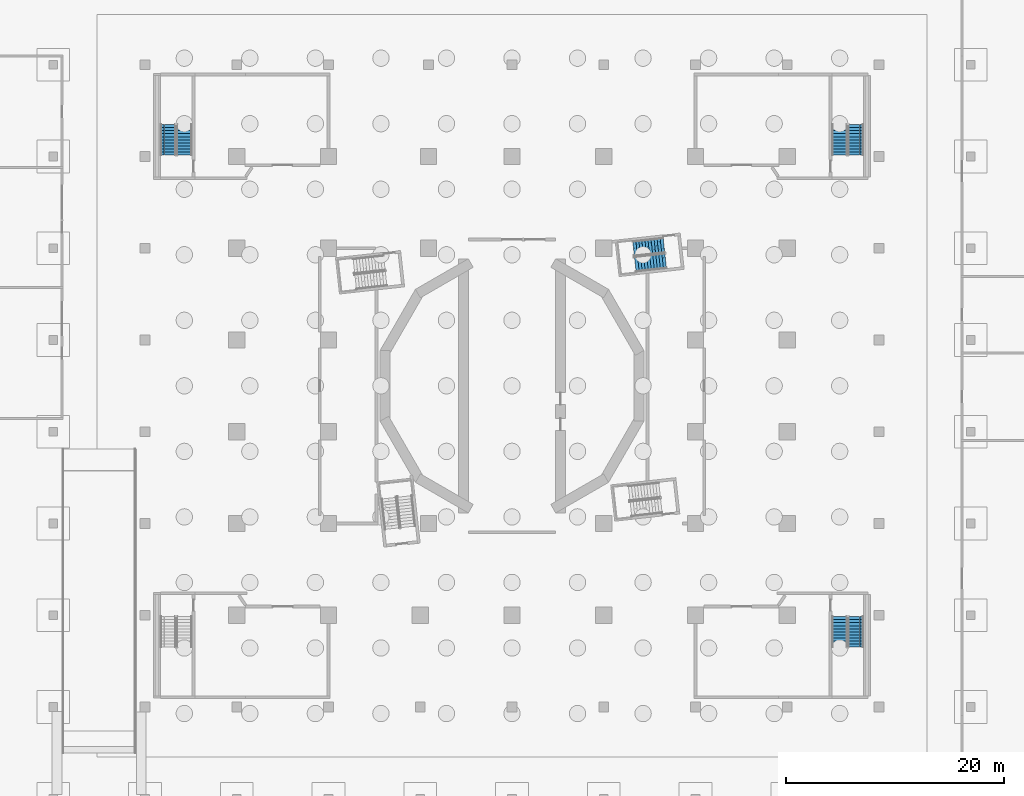
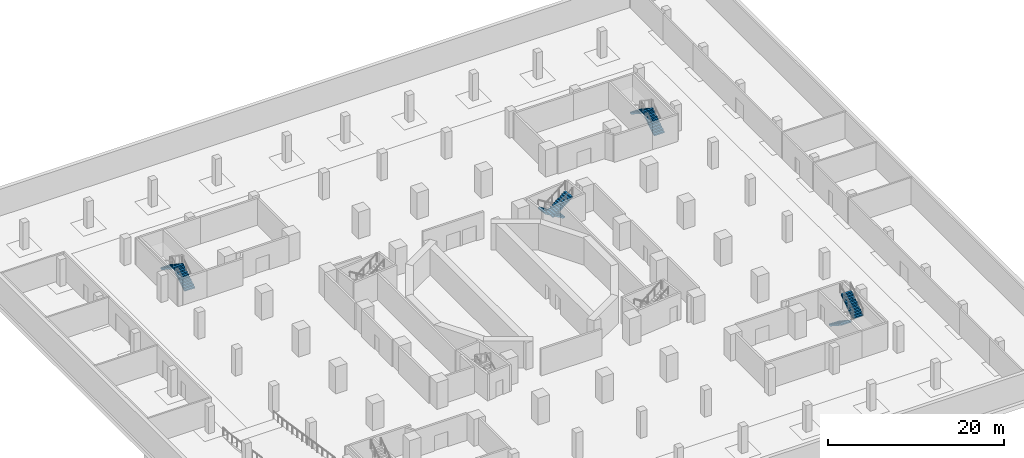
# One storey, part 14 of 20: 8 stair flights, 4 elements without a shape of their own.
"""IFC4 building model written with IfcOpenShell, lengths in metres."""

from ifc_helpers import new_model, si_unit, direction, frame, origin, place, context, subcontext, project, spatial, polyline, outline, extrude, material, type_object, element, aggregate, save


model = new_model("IFC4")

# Units and contexts
model_context = context("Model", 3, precision=1e-05, world=origin(), true_north=direction((0.0, 1.0)))
body_context = subcontext(model_context, "Body", "Model", "MODEL_VIEW")
ifc_project = project(units=[si_unit("LENGTHUNIT", "METRE"), si_unit("AREAUNIT", "SQUARE_METRE"), si_unit("VOLUMEUNIT", "CUBIC_METRE"), si_unit("PLANEANGLEUNIT", "RADIAN"), si_unit("MASSUNIT", "GRAM", prefix="KILO")], contexts=[model_context])

# Site, building, storey
site_placement = place(None, origin())
site = spatial("IfcSite", under=ifc_project, at=site_placement, CompositionType="ELEMENT")
building_placement = place(site_placement, origin())
building = spatial("IfcBuilding", under=site, at=building_placement, Name="Cantera Rosa Tower", CompositionType="ELEMENT")
storey_placement = place(building_placement, frame((0.0, 0.0, -17.0)))
storey = spatial("IfcBuildingStorey", under=building, at=storey_placement, Name="B4", CompositionType="ELEMENT", Elevation=-17.0)

# Stair, stair flights
ifc_material_1 = material(Name="Concrete C35/45", Category="concrete")
stair_type_1 = type_object("IfcStairType", Name="EXIT STAIR 1350 DOGLEG", PredefinedType="HALF_TURN_STAIR", material=ifc_material_1)
stair_1_placement = place(storey_placement, origin())
stair_1 = element("IfcStair", 1, at=stair_1_placement, inside=storey, type_object=stair_type_1, Name="B4 ST-11", PredefinedType="HALF_TURN_STAIR")
ifc_material_2 = material(Name="Concrete C35/45", Category="concrete")
stair_flight_type_1 = type_object("IfcStairFlightType", Name="STAIR FLIGHT 1350 R22x182", PredefinedType="STRAIGHT", material=ifc_material_2)
stair_flight_1_placement = place(storey_placement, frame((13.90869140625, 12.89990234375, 0.0), z_axis=(0.0, 0.0, 1.0), x_axis=(-0.993896947056, -0.110312549749, 0.0)))
stair_flight_1 = element("IfcStairFlight", 2, at=stair_flight_1_placement, type_object=stair_flight_type_1, Name="ST-11 flight 1", NumberOfRisers=11, NumberOfTreads=10, PredefinedType="STRAIGHT", RiserHeight=0.181818182, TreadLength=0.28, context=body_context, shape_type="SweptSolid", body=[
    extrude(outline(polyline([(0.0, 0.0), (0.0, 0.181884765625), (0.280029296875, 0.181884765625), (0.280029296875, 0.363525390625), (0.56005859375, 0.363525390625), (0.56005859375, 0.54541015625), (0.840087890625, 0.54541015625), (0.840087890625, 0.727294921875), (1.1201171875, 0.727294921875), (1.1201171875, 0.9091796875), (1.39990234375, 0.9091796875), (1.39990234375, 1.0908203125), (1.679931640625, 1.0908203125), (1.679931640625, 1.272705078125), (1.9599609375, 1.272705078125), (1.9599609375, 1.45458984375), (2.239990234375, 1.45458984375), (2.239990234375, 1.636474609375), (2.52001953125, 1.636474609375), (2.52001953125, 1.818115234375), (2.800048828125, 1.818115234375), (2.800048828125, 2.0), (2.800048828125, 1.639404296875), (0.275146484375, 0.0), (0.0, 0.0)])), frame((0.0, 0.675048828125, 0.0), z_axis=(0.0, -1.0, 0.0), x_axis=(1.0, 0.0, 0.0)), (0.0, 0.0, 1.0), 0.3359375),
    extrude(outline(polyline([(0.0, 0.0), (0.0, 0.181884765625), (0.280029296875, 0.181884765625), (0.280029296875, 0.363525390625), (0.56005859375, 0.363525390625), (0.56005859375, 0.54541015625), (0.840087890625, 0.54541015625), (0.840087890625, 0.727294921875), (1.1201171875, 0.727294921875), (1.1201171875, 0.9091796875), (1.39990234375, 0.9091796875), (1.39990234375, 1.0908203125), (1.679931640625, 1.0908203125), (1.679931640625, 1.272705078125), (1.9599609375, 1.272705078125), (1.9599609375, 1.45458984375), (2.239990234375, 1.45458984375), (2.239990234375, 1.636474609375), (2.52001953125, 1.636474609375), (2.52001953125, 1.818115234375), (2.800048828125, 1.818115234375), (2.800048828125, 2.0), (2.800048828125, 1.639404296875), (0.275146484375, 0.0), (0.0, 0.0)])), frame((0.0, 0.337158203125, 0.0), z_axis=(0.0, -1.0, 0.0), x_axis=(1.0, 0.0, 0.0)), (0.0, 0.0, 1.0), 0.3359375),
    extrude(outline(polyline([(0.0, 0.0), (0.0, 0.181884765625), (0.280029296875, 0.181884765625), (0.280029296875, 0.363525390625), (0.56005859375, 0.363525390625), (0.56005859375, 0.54541015625), (0.840087890625, 0.54541015625), (0.840087890625, 0.727294921875), (1.1201171875, 0.727294921875), (1.1201171875, 0.9091796875), (1.39990234375, 0.9091796875), (1.39990234375, 1.0908203125), (1.679931640625, 1.0908203125), (1.679931640625, 1.272705078125), (1.9599609375, 1.272705078125), (1.9599609375, 1.45458984375), (2.239990234375, 1.45458984375), (2.239990234375, 1.636474609375), (2.52001953125, 1.636474609375), (2.52001953125, 1.818115234375), (2.800048828125, 1.818115234375), (2.800048828125, 2.0), (2.800048828125, 1.639404296875), (0.275146484375, 0.0), (0.0, 0.0)])), frame((0.0, -0.000732421875, 0.0), z_axis=(0.0, -1.0, 0.0), x_axis=(1.0, 0.0, 0.0)), (0.0, 0.0, 1.0), 0.3359375),
    extrude(outline(polyline([(0.0, 0.0), (0.0, 0.181884765625), (0.280029296875, 0.181884765625), (0.280029296875, 0.363525390625), (0.56005859375, 0.363525390625), (0.56005859375, 0.54541015625), (0.840087890625, 0.54541015625), (0.840087890625, 0.727294921875), (1.1201171875, 0.727294921875), (1.1201171875, 0.9091796875), (1.39990234375, 0.9091796875), (1.39990234375, 1.0908203125), (1.679931640625, 1.0908203125), (1.679931640625, 1.272705078125), (1.9599609375, 1.272705078125), (1.9599609375, 1.45458984375), (2.239990234375, 1.45458984375), (2.239990234375, 1.636474609375), (2.52001953125, 1.636474609375), (2.52001953125, 1.818115234375), (2.800048828125, 1.818115234375), (2.800048828125, 2.0), (2.800048828125, 1.639404296875), (0.275146484375, 0.0), (0.0, 0.0)])), frame((0.0, -0.338623046875, 0.0), z_axis=(0.0, -1.0, 0.0), x_axis=(1.0, 0.0, 0.0)), (0.0, 0.0, 1.0), 0.3359375),
])
stair_flight_2_placement = place(storey_placement, frame((11.291259765625, 11.10009765625, 2.0), z_axis=(0.0, 0.0, 1.0), x_axis=(0.993896947056, 0.110312549749, 0.0)))
stair_flight_2 = element("IfcStairFlight", 3, at=stair_flight_2_placement, type_object=stair_flight_type_1, Name="ST-11 flight 2", NumberOfRisers=11, NumberOfTreads=10, PredefinedType="STRAIGHT", RiserHeight=0.181818182, TreadLength=0.28, context=body_context, shape_type="SweptSolid", body=[
    extrude(outline(polyline([(0.0, 0.0), (0.0, 0.181884765625), (0.280029296875, 0.181884765625), (0.280029296875, 0.363525390625), (0.56005859375, 0.363525390625), (0.56005859375, 0.54541015625), (0.840087890625, 0.54541015625), (0.840087890625, 0.727294921875), (1.1201171875, 0.727294921875), (1.1201171875, 0.9091796875), (1.39990234375, 0.9091796875), (1.39990234375, 1.0908203125), (1.679931640625, 1.0908203125), (1.679931640625, 1.272705078125), (1.9599609375, 1.272705078125), (1.9599609375, 1.45458984375), (2.239990234375, 1.45458984375), (2.239990234375, 1.636474609375), (2.52001953125, 1.636474609375), (2.52001953125, 1.818115234375), (2.800048828125, 1.818115234375), (2.800048828125, 2.0), (2.800048828125, 1.639404296875), (0.275146484375, 0.0), (0.0, 0.0)])), frame((0.0, 0.675048828125, 0.0), z_axis=(0.0, -1.0, 0.0), x_axis=(1.0, 0.0, 0.0)), (0.0, 0.0, 1.0), 0.3359375),
    extrude(outline(polyline([(0.0, 0.0), (0.0, 0.181884765625), (0.280029296875, 0.181884765625), (0.280029296875, 0.363525390625), (0.56005859375, 0.363525390625), (0.56005859375, 0.54541015625), (0.840087890625, 0.54541015625), (0.840087890625, 0.727294921875), (1.1201171875, 0.727294921875), (1.1201171875, 0.9091796875), (1.39990234375, 0.9091796875), (1.39990234375, 1.0908203125), (1.679931640625, 1.0908203125), (1.679931640625, 1.272705078125), (1.9599609375, 1.272705078125), (1.9599609375, 1.45458984375), (2.239990234375, 1.45458984375), (2.239990234375, 1.636474609375), (2.52001953125, 1.636474609375), (2.52001953125, 1.818115234375), (2.800048828125, 1.818115234375), (2.800048828125, 2.0), (2.800048828125, 1.639404296875), (0.275146484375, 0.0), (0.0, 0.0)])), frame((0.0, 0.337158203125, 0.0), z_axis=(0.0, -1.0, 0.0), x_axis=(1.0, 0.0, 0.0)), (0.0, 0.0, 1.0), 0.3359375),
    extrude(outline(polyline([(0.0, 0.0), (0.0, 0.181884765625), (0.280029296875, 0.181884765625), (0.280029296875, 0.363525390625), (0.56005859375, 0.363525390625), (0.56005859375, 0.54541015625), (0.840087890625, 0.54541015625), (0.840087890625, 0.727294921875), (1.1201171875, 0.727294921875), (1.1201171875, 0.9091796875), (1.39990234375, 0.9091796875), (1.39990234375, 1.0908203125), (1.679931640625, 1.0908203125), (1.679931640625, 1.272705078125), (1.9599609375, 1.272705078125), (1.9599609375, 1.45458984375), (2.239990234375, 1.45458984375), (2.239990234375, 1.636474609375), (2.52001953125, 1.636474609375), (2.52001953125, 1.818115234375), (2.800048828125, 1.818115234375), (2.800048828125, 2.0), (2.800048828125, 1.639404296875), (0.275146484375, 0.0), (0.0, 0.0)])), frame((0.0, -0.000732421875, 0.0), z_axis=(0.0, -1.0, 0.0), x_axis=(1.0, 0.0, 0.0)), (0.0, 0.0, 1.0), 0.3359375),
    extrude(outline(polyline([(0.0, 0.0), (0.0, 0.181884765625), (0.280029296875, 0.181884765625), (0.280029296875, 0.363525390625), (0.56005859375, 0.363525390625), (0.56005859375, 0.54541015625), (0.840087890625, 0.54541015625), (0.840087890625, 0.727294921875), (1.1201171875, 0.727294921875), (1.1201171875, 0.9091796875), (1.39990234375, 0.9091796875), (1.39990234375, 1.0908203125), (1.679931640625, 1.0908203125), (1.679931640625, 1.272705078125), (1.9599609375, 1.272705078125), (1.9599609375, 1.45458984375), (2.239990234375, 1.45458984375), (2.239990234375, 1.636474609375), (2.52001953125, 1.636474609375), (2.52001953125, 1.818115234375), (2.800048828125, 1.818115234375), (2.800048828125, 2.0), (2.800048828125, 1.639404296875), (0.275146484375, 0.0), (0.0, 0.0)])), frame((0.0, -0.338623046875, 0.0), z_axis=(0.0, -1.0, 0.0), x_axis=(1.0, 0.0, 0.0)), (0.0, 0.0, 1.0), 0.3359375),
])
aggregate(stair_1, [stair_flight_1, stair_flight_2])

ifc_material_3 = material(Name="Concrete C35/45", Category="concrete")
stair_type_2 = type_object("IfcStairType", Name="Stair half-turn 1350", PredefinedType="HALF_TURN_STAIR", material=ifc_material_3)
stair_2_placement = place(storey_placement, origin())
stair_2 = element("IfcStair", 4, at=stair_2_placement, inside=storey, type_object=stair_type_2, Name="B4 ST-NE", PredefinedType="HALF_TURN_STAIR")
ifc_material_4 = material(Name="Concrete C35/45", Category="concrete")
stair_flight_type_2 = type_object("IfcStairFlightType", Name="Stair flight 1350", PredefinedType="STRAIGHT", material=ifc_material_4)
stair_flight_3_placement = place(storey_placement, frame((31.5, 21.125, 0.0), z_axis=(0.0, 0.0, 1.0), x_axis=(0.0, 1.0, 0.0)))
stair_flight_3 = element("IfcStairFlight", 5, at=stair_flight_3_placement, type_object=stair_flight_type_2, Name="ST-NE flight 1", NumberOfRisers=11, NumberOfTreads=10, PredefinedType="STRAIGHT", RiserHeight=0.181818182, TreadLength=0.28, context=body_context, shape_type="SweptSolid", body=[
    extrude(outline(polyline([(0.0, 0.0), (0.0, 0.181884765625), (0.280029296875, 0.181884765625), (0.280029296875, 0.363525390625), (0.56005859375, 0.363525390625), (0.56005859375, 0.54541015625), (0.840087890625, 0.54541015625), (0.840087890625, 0.727294921875), (1.1201171875, 0.727294921875), (1.1201171875, 0.9091796875), (1.39990234375, 0.9091796875), (1.39990234375, 1.0908203125), (1.679931640625, 1.0908203125), (1.679931640625, 1.272705078125), (1.9599609375, 1.272705078125), (1.9599609375, 1.45458984375), (2.239990234375, 1.45458984375), (2.239990234375, 1.636474609375), (2.52001953125, 1.636474609375), (2.52001953125, 1.818115234375), (2.800048828125, 1.818115234375), (2.800048828125, 2.0), (2.800048828125, 1.639404296875), (0.275146484375, 0.0), (0.0, 0.0)])), frame((0.0, 0.675048828125, 0.0), z_axis=(0.0, -1.0, 0.0), x_axis=(1.0, 0.0, 0.0)), (0.0, 0.0, 1.0), 0.3359375),
    extrude(outline(polyline([(0.0, 0.0), (0.0, 0.181884765625), (0.280029296875, 0.181884765625), (0.280029296875, 0.363525390625), (0.56005859375, 0.363525390625), (0.56005859375, 0.54541015625), (0.840087890625, 0.54541015625), (0.840087890625, 0.727294921875), (1.1201171875, 0.727294921875), (1.1201171875, 0.9091796875), (1.39990234375, 0.9091796875), (1.39990234375, 1.0908203125), (1.679931640625, 1.0908203125), (1.679931640625, 1.272705078125), (1.9599609375, 1.272705078125), (1.9599609375, 1.45458984375), (2.239990234375, 1.45458984375), (2.239990234375, 1.636474609375), (2.52001953125, 1.636474609375), (2.52001953125, 1.818115234375), (2.800048828125, 1.818115234375), (2.800048828125, 2.0), (2.800048828125, 1.639404296875), (0.275146484375, 0.0), (0.0, 0.0)])), frame((0.0, 0.337158203125, 0.0), z_axis=(0.0, -1.0, 0.0), x_axis=(1.0, 0.0, 0.0)), (0.0, 0.0, 1.0), 0.3359375),
    extrude(outline(polyline([(0.0, 0.0), (0.0, 0.181884765625), (0.280029296875, 0.181884765625), (0.280029296875, 0.363525390625), (0.56005859375, 0.363525390625), (0.56005859375, 0.54541015625), (0.840087890625, 0.54541015625), (0.840087890625, 0.727294921875), (1.1201171875, 0.727294921875), (1.1201171875, 0.9091796875), (1.39990234375, 0.9091796875), (1.39990234375, 1.0908203125), (1.679931640625, 1.0908203125), (1.679931640625, 1.272705078125), (1.9599609375, 1.272705078125), (1.9599609375, 1.45458984375), (2.239990234375, 1.45458984375), (2.239990234375, 1.636474609375), (2.52001953125, 1.636474609375), (2.52001953125, 1.818115234375), (2.800048828125, 1.818115234375), (2.800048828125, 2.0), (2.800048828125, 1.639404296875), (0.275146484375, 0.0), (0.0, 0.0)])), frame((0.0, -0.000732421875, 0.0), z_axis=(0.0, -1.0, 0.0), x_axis=(1.0, 0.0, 0.0)), (0.0, 0.0, 1.0), 0.3359375),
    extrude(outline(polyline([(0.0, 0.0), (0.0, 0.181884765625), (0.280029296875, 0.181884765625), (0.280029296875, 0.363525390625), (0.56005859375, 0.363525390625), (0.56005859375, 0.54541015625), (0.840087890625, 0.54541015625), (0.840087890625, 0.727294921875), (1.1201171875, 0.727294921875), (1.1201171875, 0.9091796875), (1.39990234375, 0.9091796875), (1.39990234375, 1.0908203125), (1.679931640625, 1.0908203125), (1.679931640625, 1.272705078125), (1.9599609375, 1.272705078125), (1.9599609375, 1.45458984375), (2.239990234375, 1.45458984375), (2.239990234375, 1.636474609375), (2.52001953125, 1.636474609375), (2.52001953125, 1.818115234375), (2.800048828125, 1.818115234375), (2.800048828125, 2.0), (2.800048828125, 1.639404296875), (0.275146484375, 0.0), (0.0, 0.0)])), frame((0.0, -0.338623046875, 0.0), z_axis=(0.0, -1.0, 0.0), x_axis=(1.0, 0.0, 0.0)), (0.0, 0.0, 1.0), 0.3359375),
])
stair_flight_4_placement = place(storey_placement, frame((29.949951171875, 23.925048828125, 2.0), z_axis=(0.0, 0.0, 1.0), x_axis=(0.0, -1.0, 0.0)))
stair_flight_4 = element("IfcStairFlight", 6, at=stair_flight_4_placement, type_object=stair_flight_type_2, Name="ST-NE flight 2", NumberOfRisers=11, NumberOfTreads=10, PredefinedType="STRAIGHT", RiserHeight=0.181818182, TreadLength=0.28, context=body_context, shape_type="SweptSolid", body=[
    extrude(outline(polyline([(0.0, 0.0), (0.0, 0.181884765625), (0.280029296875, 0.181884765625), (0.280029296875, 0.363525390625), (0.56005859375, 0.363525390625), (0.56005859375, 0.54541015625), (0.840087890625, 0.54541015625), (0.840087890625, 0.727294921875), (1.1201171875, 0.727294921875), (1.1201171875, 0.9091796875), (1.39990234375, 0.9091796875), (1.39990234375, 1.0908203125), (1.679931640625, 1.0908203125), (1.679931640625, 1.272705078125), (1.9599609375, 1.272705078125), (1.9599609375, 1.45458984375), (2.239990234375, 1.45458984375), (2.239990234375, 1.636474609375), (2.52001953125, 1.636474609375), (2.52001953125, 1.818115234375), (2.800048828125, 1.818115234375), (2.800048828125, 2.0), (2.800048828125, 1.639404296875), (0.275146484375, 0.0), (0.0, 0.0)])), frame((0.0, 0.675048828125, 0.0), z_axis=(0.0, -1.0, 0.0), x_axis=(1.0, 0.0, 0.0)), (0.0, 0.0, 1.0), 0.3359375),
    extrude(outline(polyline([(0.0, 0.0), (0.0, 0.181884765625), (0.280029296875, 0.181884765625), (0.280029296875, 0.363525390625), (0.56005859375, 0.363525390625), (0.56005859375, 0.54541015625), (0.840087890625, 0.54541015625), (0.840087890625, 0.727294921875), (1.1201171875, 0.727294921875), (1.1201171875, 0.9091796875), (1.39990234375, 0.9091796875), (1.39990234375, 1.0908203125), (1.679931640625, 1.0908203125), (1.679931640625, 1.272705078125), (1.9599609375, 1.272705078125), (1.9599609375, 1.45458984375), (2.239990234375, 1.45458984375), (2.239990234375, 1.636474609375), (2.52001953125, 1.636474609375), (2.52001953125, 1.818115234375), (2.800048828125, 1.818115234375), (2.800048828125, 2.0), (2.800048828125, 1.639404296875), (0.275146484375, 0.0), (0.0, 0.0)])), frame((0.0, 0.337158203125, 0.0), z_axis=(0.0, -1.0, 0.0), x_axis=(1.0, 0.0, 0.0)), (0.0, 0.0, 1.0), 0.3359375),
    extrude(outline(polyline([(0.0, 0.0), (0.0, 0.181884765625), (0.280029296875, 0.181884765625), (0.280029296875, 0.363525390625), (0.56005859375, 0.363525390625), (0.56005859375, 0.54541015625), (0.840087890625, 0.54541015625), (0.840087890625, 0.727294921875), (1.1201171875, 0.727294921875), (1.1201171875, 0.9091796875), (1.39990234375, 0.9091796875), (1.39990234375, 1.0908203125), (1.679931640625, 1.0908203125), (1.679931640625, 1.272705078125), (1.9599609375, 1.272705078125), (1.9599609375, 1.45458984375), (2.239990234375, 1.45458984375), (2.239990234375, 1.636474609375), (2.52001953125, 1.636474609375), (2.52001953125, 1.818115234375), (2.800048828125, 1.818115234375), (2.800048828125, 2.0), (2.800048828125, 1.639404296875), (0.275146484375, 0.0), (0.0, 0.0)])), frame((0.0, -0.000732421875, 0.0), z_axis=(0.0, -1.0, 0.0), x_axis=(1.0, 0.0, 0.0)), (0.0, 0.0, 1.0), 0.3359375),
    extrude(outline(polyline([(0.0, 0.0), (0.0, 0.181884765625), (0.280029296875, 0.181884765625), (0.280029296875, 0.363525390625), (0.56005859375, 0.363525390625), (0.56005859375, 0.54541015625), (0.840087890625, 0.54541015625), (0.840087890625, 0.727294921875), (1.1201171875, 0.727294921875), (1.1201171875, 0.9091796875), (1.39990234375, 0.9091796875), (1.39990234375, 1.0908203125), (1.679931640625, 1.0908203125), (1.679931640625, 1.272705078125), (1.9599609375, 1.272705078125), (1.9599609375, 1.45458984375), (2.239990234375, 1.45458984375), (2.239990234375, 1.636474609375), (2.52001953125, 1.636474609375), (2.52001953125, 1.818115234375), (2.800048828125, 1.818115234375), (2.800048828125, 2.0), (2.800048828125, 1.639404296875), (0.275146484375, 0.0), (0.0, 0.0)])), frame((0.0, -0.338623046875, 0.0), z_axis=(0.0, -1.0, 0.0), x_axis=(1.0, 0.0, 0.0)), (0.0, 0.0, 1.0), 0.3359375),
])
aggregate(stair_2, [stair_flight_3, stair_flight_4])

stair_3_placement = place(storey_placement, origin())
stair_3 = element("IfcStair", 7, at=stair_3_placement, inside=storey, type_object=stair_type_2, Name="B4 ST-NW", PredefinedType="HALF_TURN_STAIR")
stair_flight_5_placement = place(storey_placement, frame((-29.949951171875, 21.125, 0.0), z_axis=(0.0, 0.0, 1.0), x_axis=(0.0, 1.0, 0.0)))
stair_flight_5 = element("IfcStairFlight", 8, at=stair_flight_5_placement, type_object=stair_flight_type_2, Name="ST-NW flight 1", NumberOfRisers=11, NumberOfTreads=10, PredefinedType="STRAIGHT", RiserHeight=0.181818182, TreadLength=0.28, context=body_context, shape_type="SweptSolid", body=[
    extrude(outline(polyline([(0.0, 0.0), (0.0, 0.181884765625), (0.280029296875, 0.181884765625), (0.280029296875, 0.363525390625), (0.56005859375, 0.363525390625), (0.56005859375, 0.54541015625), (0.840087890625, 0.54541015625), (0.840087890625, 0.727294921875), (1.1201171875, 0.727294921875), (1.1201171875, 0.9091796875), (1.39990234375, 0.9091796875), (1.39990234375, 1.0908203125), (1.679931640625, 1.0908203125), (1.679931640625, 1.272705078125), (1.9599609375, 1.272705078125), (1.9599609375, 1.45458984375), (2.239990234375, 1.45458984375), (2.239990234375, 1.636474609375), (2.52001953125, 1.636474609375), (2.52001953125, 1.818115234375), (2.800048828125, 1.818115234375), (2.800048828125, 2.0), (2.800048828125, 1.639404296875), (0.275146484375, 0.0), (0.0, 0.0)])), frame((0.0, 0.675048828125, 0.0), z_axis=(0.0, -1.0, 0.0), x_axis=(1.0, 0.0, 0.0)), (0.0, 0.0, 1.0), 0.3359375),
    extrude(outline(polyline([(0.0, 0.0), (0.0, 0.181884765625), (0.280029296875, 0.181884765625), (0.280029296875, 0.363525390625), (0.56005859375, 0.363525390625), (0.56005859375, 0.54541015625), (0.840087890625, 0.54541015625), (0.840087890625, 0.727294921875), (1.1201171875, 0.727294921875), (1.1201171875, 0.9091796875), (1.39990234375, 0.9091796875), (1.39990234375, 1.0908203125), (1.679931640625, 1.0908203125), (1.679931640625, 1.272705078125), (1.9599609375, 1.272705078125), (1.9599609375, 1.45458984375), (2.239990234375, 1.45458984375), (2.239990234375, 1.636474609375), (2.52001953125, 1.636474609375), (2.52001953125, 1.818115234375), (2.800048828125, 1.818115234375), (2.800048828125, 2.0), (2.800048828125, 1.639404296875), (0.275146484375, 0.0), (0.0, 0.0)])), frame((0.0, 0.337158203125, 0.0), z_axis=(0.0, -1.0, 0.0), x_axis=(1.0, 0.0, 0.0)), (0.0, 0.0, 1.0), 0.3359375),
    extrude(outline(polyline([(0.0, 0.0), (0.0, 0.181884765625), (0.280029296875, 0.181884765625), (0.280029296875, 0.363525390625), (0.56005859375, 0.363525390625), (0.56005859375, 0.54541015625), (0.840087890625, 0.54541015625), (0.840087890625, 0.727294921875), (1.1201171875, 0.727294921875), (1.1201171875, 0.9091796875), (1.39990234375, 0.9091796875), (1.39990234375, 1.0908203125), (1.679931640625, 1.0908203125), (1.679931640625, 1.272705078125), (1.9599609375, 1.272705078125), (1.9599609375, 1.45458984375), (2.239990234375, 1.45458984375), (2.239990234375, 1.636474609375), (2.52001953125, 1.636474609375), (2.52001953125, 1.818115234375), (2.800048828125, 1.818115234375), (2.800048828125, 2.0), (2.800048828125, 1.639404296875), (0.275146484375, 0.0), (0.0, 0.0)])), frame((0.0, -0.000732421875, 0.0), z_axis=(0.0, -1.0, 0.0), x_axis=(1.0, 0.0, 0.0)), (0.0, 0.0, 1.0), 0.3359375),
    extrude(outline(polyline([(0.0, 0.0), (0.0, 0.181884765625), (0.280029296875, 0.181884765625), (0.280029296875, 0.363525390625), (0.56005859375, 0.363525390625), (0.56005859375, 0.54541015625), (0.840087890625, 0.54541015625), (0.840087890625, 0.727294921875), (1.1201171875, 0.727294921875), (1.1201171875, 0.9091796875), (1.39990234375, 0.9091796875), (1.39990234375, 1.0908203125), (1.679931640625, 1.0908203125), (1.679931640625, 1.272705078125), (1.9599609375, 1.272705078125), (1.9599609375, 1.45458984375), (2.239990234375, 1.45458984375), (2.239990234375, 1.636474609375), (2.52001953125, 1.636474609375), (2.52001953125, 1.818115234375), (2.800048828125, 1.818115234375), (2.800048828125, 2.0), (2.800048828125, 1.639404296875), (0.275146484375, 0.0), (0.0, 0.0)])), frame((0.0, -0.338623046875, 0.0), z_axis=(0.0, -1.0, 0.0), x_axis=(1.0, 0.0, 0.0)), (0.0, 0.0, 1.0), 0.3359375),
])
stair_flight_6_placement = place(storey_placement, frame((-31.5, 23.925048828125, 2.0), z_axis=(0.0, 0.0, 1.0), x_axis=(0.0, -1.0, 0.0)))
stair_flight_6 = element("IfcStairFlight", 9, at=stair_flight_6_placement, type_object=stair_flight_type_2, Name="ST-NW flight 2", NumberOfRisers=11, NumberOfTreads=10, PredefinedType="STRAIGHT", RiserHeight=0.181818182, TreadLength=0.28, context=body_context, shape_type="SweptSolid", body=[
    extrude(outline(polyline([(0.0, 0.0), (0.0, 0.181884765625), (0.280029296875, 0.181884765625), (0.280029296875, 0.363525390625), (0.56005859375, 0.363525390625), (0.56005859375, 0.54541015625), (0.840087890625, 0.54541015625), (0.840087890625, 0.727294921875), (1.1201171875, 0.727294921875), (1.1201171875, 0.9091796875), (1.39990234375, 0.9091796875), (1.39990234375, 1.0908203125), (1.679931640625, 1.0908203125), (1.679931640625, 1.272705078125), (1.9599609375, 1.272705078125), (1.9599609375, 1.45458984375), (2.239990234375, 1.45458984375), (2.239990234375, 1.636474609375), (2.52001953125, 1.636474609375), (2.52001953125, 1.818115234375), (2.800048828125, 1.818115234375), (2.800048828125, 2.0), (2.800048828125, 1.639404296875), (0.275146484375, 0.0), (0.0, 0.0)])), frame((0.0, 0.675048828125, 0.0), z_axis=(0.0, -1.0, 0.0), x_axis=(1.0, 0.0, 0.0)), (0.0, 0.0, 1.0), 0.3359375),
    extrude(outline(polyline([(0.0, 0.0), (0.0, 0.181884765625), (0.280029296875, 0.181884765625), (0.280029296875, 0.363525390625), (0.56005859375, 0.363525390625), (0.56005859375, 0.54541015625), (0.840087890625, 0.54541015625), (0.840087890625, 0.727294921875), (1.1201171875, 0.727294921875), (1.1201171875, 0.9091796875), (1.39990234375, 0.9091796875), (1.39990234375, 1.0908203125), (1.679931640625, 1.0908203125), (1.679931640625, 1.272705078125), (1.9599609375, 1.272705078125), (1.9599609375, 1.45458984375), (2.239990234375, 1.45458984375), (2.239990234375, 1.636474609375), (2.52001953125, 1.636474609375), (2.52001953125, 1.818115234375), (2.800048828125, 1.818115234375), (2.800048828125, 2.0), (2.800048828125, 1.639404296875), (0.275146484375, 0.0), (0.0, 0.0)])), frame((0.0, 0.337158203125, 0.0), z_axis=(0.0, -1.0, 0.0), x_axis=(1.0, 0.0, 0.0)), (0.0, 0.0, 1.0), 0.3359375),
    extrude(outline(polyline([(0.0, 0.0), (0.0, 0.181884765625), (0.280029296875, 0.181884765625), (0.280029296875, 0.363525390625), (0.56005859375, 0.363525390625), (0.56005859375, 0.54541015625), (0.840087890625, 0.54541015625), (0.840087890625, 0.727294921875), (1.1201171875, 0.727294921875), (1.1201171875, 0.9091796875), (1.39990234375, 0.9091796875), (1.39990234375, 1.0908203125), (1.679931640625, 1.0908203125), (1.679931640625, 1.272705078125), (1.9599609375, 1.272705078125), (1.9599609375, 1.45458984375), (2.239990234375, 1.45458984375), (2.239990234375, 1.636474609375), (2.52001953125, 1.636474609375), (2.52001953125, 1.818115234375), (2.800048828125, 1.818115234375), (2.800048828125, 2.0), (2.800048828125, 1.639404296875), (0.275146484375, 0.0), (0.0, 0.0)])), frame((0.0, -0.000732421875, 0.0), z_axis=(0.0, -1.0, 0.0), x_axis=(1.0, 0.0, 0.0)), (0.0, 0.0, 1.0), 0.3359375),
    extrude(outline(polyline([(0.0, 0.0), (0.0, 0.181884765625), (0.280029296875, 0.181884765625), (0.280029296875, 0.363525390625), (0.56005859375, 0.363525390625), (0.56005859375, 0.54541015625), (0.840087890625, 0.54541015625), (0.840087890625, 0.727294921875), (1.1201171875, 0.727294921875), (1.1201171875, 0.9091796875), (1.39990234375, 0.9091796875), (1.39990234375, 1.0908203125), (1.679931640625, 1.0908203125), (1.679931640625, 1.272705078125), (1.9599609375, 1.272705078125), (1.9599609375, 1.45458984375), (2.239990234375, 1.45458984375), (2.239990234375, 1.636474609375), (2.52001953125, 1.636474609375), (2.52001953125, 1.818115234375), (2.800048828125, 1.818115234375), (2.800048828125, 2.0), (2.800048828125, 1.639404296875), (0.275146484375, 0.0), (0.0, 0.0)])), frame((0.0, -0.338623046875, 0.0), z_axis=(0.0, -1.0, 0.0), x_axis=(1.0, 0.0, 0.0)), (0.0, 0.0, 1.0), 0.3359375),
])
aggregate(stair_3, [stair_flight_5, stair_flight_6])

stair_4_placement = place(storey_placement, origin())
stair_4 = element("IfcStair", 10, at=stair_4_placement, inside=storey, type_object=stair_type_2, Name="B4 ST-SE", PredefinedType="HALF_TURN_STAIR")
stair_flight_7_placement = place(storey_placement, frame((29.949951171875, -21.125, 0.0), z_axis=(0.0, 0.0, 1.0), x_axis=(0.0, -1.0, 0.0)))
stair_flight_7 = element("IfcStairFlight", 11, at=stair_flight_7_placement, type_object=stair_flight_type_2, Name="ST-SE flight 1", NumberOfRisers=11, NumberOfTreads=10, PredefinedType="STRAIGHT", RiserHeight=0.181818182, TreadLength=0.28, context=body_context, shape_type="SweptSolid", body=[
    extrude(outline(polyline([(0.0, 0.0), (0.0, 0.181884765625), (0.280029296875, 0.181884765625), (0.280029296875, 0.363525390625), (0.56005859375, 0.363525390625), (0.56005859375, 0.54541015625), (0.840087890625, 0.54541015625), (0.840087890625, 0.727294921875), (1.1201171875, 0.727294921875), (1.1201171875, 0.9091796875), (1.39990234375, 0.9091796875), (1.39990234375, 1.0908203125), (1.679931640625, 1.0908203125), (1.679931640625, 1.272705078125), (1.9599609375, 1.272705078125), (1.9599609375, 1.45458984375), (2.239990234375, 1.45458984375), (2.239990234375, 1.636474609375), (2.52001953125, 1.636474609375), (2.52001953125, 1.818115234375), (2.800048828125, 1.818115234375), (2.800048828125, 2.0), (2.800048828125, 1.639404296875), (0.275146484375, 0.0), (0.0, 0.0)])), frame((0.0, 0.675048828125, 0.0), z_axis=(0.0, -1.0, 0.0), x_axis=(1.0, 0.0, 0.0)), (0.0, 0.0, 1.0), 0.3359375),
    extrude(outline(polyline([(0.0, 0.0), (0.0, 0.181884765625), (0.280029296875, 0.181884765625), (0.280029296875, 0.363525390625), (0.56005859375, 0.363525390625), (0.56005859375, 0.54541015625), (0.840087890625, 0.54541015625), (0.840087890625, 0.727294921875), (1.1201171875, 0.727294921875), (1.1201171875, 0.9091796875), (1.39990234375, 0.9091796875), (1.39990234375, 1.0908203125), (1.679931640625, 1.0908203125), (1.679931640625, 1.272705078125), (1.9599609375, 1.272705078125), (1.9599609375, 1.45458984375), (2.239990234375, 1.45458984375), (2.239990234375, 1.636474609375), (2.52001953125, 1.636474609375), (2.52001953125, 1.818115234375), (2.800048828125, 1.818115234375), (2.800048828125, 2.0), (2.800048828125, 1.639404296875), (0.275146484375, 0.0), (0.0, 0.0)])), frame((0.0, 0.337158203125, 0.0), z_axis=(0.0, -1.0, 0.0), x_axis=(1.0, 0.0, 0.0)), (0.0, 0.0, 1.0), 0.3359375),
    extrude(outline(polyline([(0.0, 0.0), (0.0, 0.181884765625), (0.280029296875, 0.181884765625), (0.280029296875, 0.363525390625), (0.56005859375, 0.363525390625), (0.56005859375, 0.54541015625), (0.840087890625, 0.54541015625), (0.840087890625, 0.727294921875), (1.1201171875, 0.727294921875), (1.1201171875, 0.9091796875), (1.39990234375, 0.9091796875), (1.39990234375, 1.0908203125), (1.679931640625, 1.0908203125), (1.679931640625, 1.272705078125), (1.9599609375, 1.272705078125), (1.9599609375, 1.45458984375), (2.239990234375, 1.45458984375), (2.239990234375, 1.636474609375), (2.52001953125, 1.636474609375), (2.52001953125, 1.818115234375), (2.800048828125, 1.818115234375), (2.800048828125, 2.0), (2.800048828125, 1.639404296875), (0.275146484375, 0.0), (0.0, 0.0)])), frame((0.0, -0.000732421875, 0.0), z_axis=(0.0, -1.0, 0.0), x_axis=(1.0, 0.0, 0.0)), (0.0, 0.0, 1.0), 0.3359375),
    extrude(outline(polyline([(0.0, 0.0), (0.0, 0.181884765625), (0.280029296875, 0.181884765625), (0.280029296875, 0.363525390625), (0.56005859375, 0.363525390625), (0.56005859375, 0.54541015625), (0.840087890625, 0.54541015625), (0.840087890625, 0.727294921875), (1.1201171875, 0.727294921875), (1.1201171875, 0.9091796875), (1.39990234375, 0.9091796875), (1.39990234375, 1.0908203125), (1.679931640625, 1.0908203125), (1.679931640625, 1.272705078125), (1.9599609375, 1.272705078125), (1.9599609375, 1.45458984375), (2.239990234375, 1.45458984375), (2.239990234375, 1.636474609375), (2.52001953125, 1.636474609375), (2.52001953125, 1.818115234375), (2.800048828125, 1.818115234375), (2.800048828125, 2.0), (2.800048828125, 1.639404296875), (0.275146484375, 0.0), (0.0, 0.0)])), frame((0.0, -0.338623046875, 0.0), z_axis=(0.0, -1.0, 0.0), x_axis=(1.0, 0.0, 0.0)), (0.0, 0.0, 1.0), 0.3359375),
])
stair_flight_8_placement = place(storey_placement, frame((31.5, -23.925048828125, 2.0), z_axis=(0.0, 0.0, 1.0), x_axis=(0.0, 1.0, 0.0)))
stair_flight_8 = element("IfcStairFlight", 12, at=stair_flight_8_placement, type_object=stair_flight_type_2, Name="ST-SE flight 2", NumberOfRisers=11, NumberOfTreads=10, PredefinedType="STRAIGHT", RiserHeight=0.181818182, TreadLength=0.28, context=body_context, shape_type="SweptSolid", body=[
    extrude(outline(polyline([(0.0, 0.0), (0.0, 0.181884765625), (0.280029296875, 0.181884765625), (0.280029296875, 0.363525390625), (0.56005859375, 0.363525390625), (0.56005859375, 0.54541015625), (0.840087890625, 0.54541015625), (0.840087890625, 0.727294921875), (1.1201171875, 0.727294921875), (1.1201171875, 0.9091796875), (1.39990234375, 0.9091796875), (1.39990234375, 1.0908203125), (1.679931640625, 1.0908203125), (1.679931640625, 1.272705078125), (1.9599609375, 1.272705078125), (1.9599609375, 1.45458984375), (2.239990234375, 1.45458984375), (2.239990234375, 1.636474609375), (2.52001953125, 1.636474609375), (2.52001953125, 1.818115234375), (2.800048828125, 1.818115234375), (2.800048828125, 2.0), (2.800048828125, 1.639404296875), (0.275146484375, 0.0), (0.0, 0.0)])), frame((0.0, 0.675048828125, 0.0), z_axis=(0.0, -1.0, 0.0), x_axis=(1.0, 0.0, 0.0)), (0.0, 0.0, 1.0), 0.3359375),
    extrude(outline(polyline([(0.0, 0.0), (0.0, 0.181884765625), (0.280029296875, 0.181884765625), (0.280029296875, 0.363525390625), (0.56005859375, 0.363525390625), (0.56005859375, 0.54541015625), (0.840087890625, 0.54541015625), (0.840087890625, 0.727294921875), (1.1201171875, 0.727294921875), (1.1201171875, 0.9091796875), (1.39990234375, 0.9091796875), (1.39990234375, 1.0908203125), (1.679931640625, 1.0908203125), (1.679931640625, 1.272705078125), (1.9599609375, 1.272705078125), (1.9599609375, 1.45458984375), (2.239990234375, 1.45458984375), (2.239990234375, 1.636474609375), (2.52001953125, 1.636474609375), (2.52001953125, 1.818115234375), (2.800048828125, 1.818115234375), (2.800048828125, 2.0), (2.800048828125, 1.639404296875), (0.275146484375, 0.0), (0.0, 0.0)])), frame((0.0, 0.337158203125, 0.0), z_axis=(0.0, -1.0, 0.0), x_axis=(1.0, 0.0, 0.0)), (0.0, 0.0, 1.0), 0.3359375),
    extrude(outline(polyline([(0.0, 0.0), (0.0, 0.181884765625), (0.280029296875, 0.181884765625), (0.280029296875, 0.363525390625), (0.56005859375, 0.363525390625), (0.56005859375, 0.54541015625), (0.840087890625, 0.54541015625), (0.840087890625, 0.727294921875), (1.1201171875, 0.727294921875), (1.1201171875, 0.9091796875), (1.39990234375, 0.9091796875), (1.39990234375, 1.0908203125), (1.679931640625, 1.0908203125), (1.679931640625, 1.272705078125), (1.9599609375, 1.272705078125), (1.9599609375, 1.45458984375), (2.239990234375, 1.45458984375), (2.239990234375, 1.636474609375), (2.52001953125, 1.636474609375), (2.52001953125, 1.818115234375), (2.800048828125, 1.818115234375), (2.800048828125, 2.0), (2.800048828125, 1.639404296875), (0.275146484375, 0.0), (0.0, 0.0)])), frame((0.0, -0.000732421875, 0.0), z_axis=(0.0, -1.0, 0.0), x_axis=(1.0, 0.0, 0.0)), (0.0, 0.0, 1.0), 0.3359375),
    extrude(outline(polyline([(0.0, 0.0), (0.0, 0.181884765625), (0.280029296875, 0.181884765625), (0.280029296875, 0.363525390625), (0.56005859375, 0.363525390625), (0.56005859375, 0.54541015625), (0.840087890625, 0.54541015625), (0.840087890625, 0.727294921875), (1.1201171875, 0.727294921875), (1.1201171875, 0.9091796875), (1.39990234375, 0.9091796875), (1.39990234375, 1.0908203125), (1.679931640625, 1.0908203125), (1.679931640625, 1.272705078125), (1.9599609375, 1.272705078125), (1.9599609375, 1.45458984375), (2.239990234375, 1.45458984375), (2.239990234375, 1.636474609375), (2.52001953125, 1.636474609375), (2.52001953125, 1.818115234375), (2.800048828125, 1.818115234375), (2.800048828125, 2.0), (2.800048828125, 1.639404296875), (0.275146484375, 0.0), (0.0, 0.0)])), frame((0.0, -0.338623046875, 0.0), z_axis=(0.0, -1.0, 0.0), x_axis=(1.0, 0.0, 0.0)), (0.0, 0.0, 1.0), 0.3359375),
])
aggregate(stair_4, [stair_flight_7, stair_flight_8])

save(model, "model.ifc")
